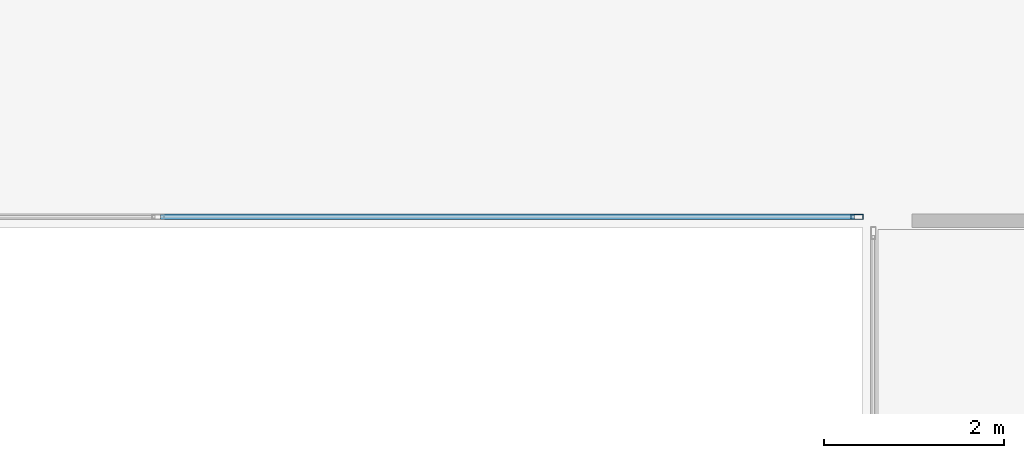
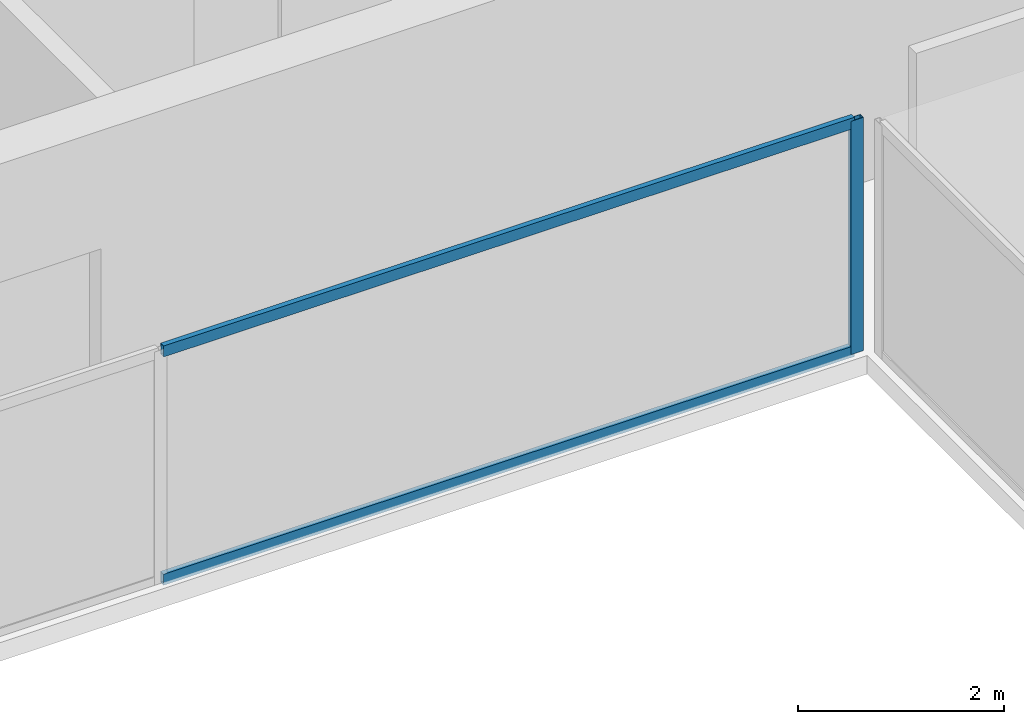
# One storey, part 11 of 29: 3 members, 1 element without a shape of its own.
"""IFC4 building model written with IfcOpenShell, lengths in metres."""

import ifcopenshell
import ifcopenshell.guid

model = None  # the IFC model being written
_history = None  # IfcOwnerHistory: only IFC2X3 demands one
_inside = {}  # id of a spatial element -> (the spatial element, [elements in it])
_under = {}  # id of a project, library or spatial element -> (it, [spatial elements below it])
_declared = {}  # id of a project -> (the project, [libraries it declares])
_typed = {}  # id of a type object -> (the type object, [elements of that type])
_made_of = {}  # id of a material, layer set ... -> (it, [elements and type objects made of it])


def new_model(schema):
    """Start an empty IFC model of exactly this schema.

    Asked for "IFC4X3", IfcOpenShell would pick the latest addendum, in which some entities
    have other attributes; the version numbers below select the first issue.
    IFC2X3 requires an IfcOwnerHistory on every rooted entity: one is made here for all.
    """
    global model, _history
    if schema == "IFC4X3":
        model = ifcopenshell.file(schema_version=(4, 3, 0, 0))
    else:
        model = ifcopenshell.file(schema=schema)
    _inside.clear()
    _under.clear()
    _declared.clear()
    _typed.clear()
    _made_of.clear()
    _history = None
    if model.schema == "IFC2X3":
        org = make("IfcOrganization", Name="unknown")
        user = make(
            "IfcPersonAndOrganization",
            ThePerson=make("IfcPerson", FamilyName="unknown"),
            TheOrganization=org,
        )
        app = make(
            "IfcApplication",
            ApplicationDeveloper=org,
            Version="unknown",
            ApplicationFullName="unknown",
            ApplicationIdentifier="unknown",
        )
        _history = make(
            "IfcOwnerHistory",
            OwningUser=user,
            OwningApplication=app,
            ChangeAction="ADDED",
            CreationDate=0,
        )
    return model


def make(cls, **values):
    """One entity of the class cls with the attributes given. An attribute that is None is left unset."""
    return model.create_entity(
        cls, **{name: value for name, value in values.items() if value is not None}
    )


def rooted(cls, **values):
    """An entity with a GlobalId (a new one), such as an element, a storey or a relation."""
    return make(cls, GlobalId=ifcopenshell.guid.new(), OwnerHistory=_history, **values)


def si_unit(unit_type, name, prefix=None):
    """IfcSIUnit, for example si_unit("LENGTHUNIT", "METRE", prefix="MILLI")."""
    return make("IfcSIUnit", UnitType=unit_type, Prefix=prefix, Name=name)


def assignment(units):
    """IfcUnitAssignment: the units of a project."""
    return None if units is None else make("IfcUnitAssignment", Units=units)


def point(xyz):
    """IfcCartesianPoint."""
    return None if xyz is None else make("IfcCartesianPoint", Coordinates=xyz)


def direction(xyz):
    """IfcDirection."""
    return None if xyz is None else make("IfcDirection", DirectionRatios=xyz)


def frame(location, z_axis=None, x_axis=None):
    """IfcAxis2Placement3D, a coordinate frame: its origin and axes. An axis left out is left unset."""
    return make(
        "IfcAxis2Placement3D",
        Location=point(location),
        Axis=direction(z_axis),
        RefDirection=direction(x_axis),
    )


def frame_2d(location, x_axis=None):
    """IfcAxis2Placement2D, a coordinate frame in the plane: its origin and x axis."""
    return make(
        "IfcAxis2Placement2D", Location=point(location), RefDirection=direction(x_axis)
    )


def origin():
    """The frame at (0, 0, 0) with its axes left unset."""
    return frame((0.0, 0.0, 0.0))


def origin_2d():
    """The frame at (0, 0) in the plane with its x axis left unset."""
    return frame_2d((0.0, 0.0))


def place(relative_to, where):
    """IfcLocalPlacement: puts the frame where relative to a parent placement (None: the world)."""
    return make(
        "IfcLocalPlacement", PlacementRelTo=relative_to, RelativePlacement=where
    )


def context(
    kind, dimensions, precision=None, world=None, true_north=None, identifier=None
):
    """IfcGeometricRepresentationContext, for example the 3D "Model" context."""
    return make(
        "IfcGeometricRepresentationContext",
        ContextIdentifier=identifier,
        ContextType=kind,
        CoordinateSpaceDimension=dimensions,
        Precision=precision,
        WorldCoordinateSystem=world,
        TrueNorth=true_north,
    )


def subcontext(parent, identifier, kind, view, scale=None):
    """IfcGeometricRepresentationSubContext, for example "Body" below "Model"."""
    return make(
        "IfcGeometricRepresentationSubContext",
        ContextIdentifier=identifier,
        ContextType=kind,
        ParentContext=parent,
        TargetScale=scale,
        TargetView=view,
    )


def project(units=None, contexts=None):
    """IfcProject with its units and contexts."""
    return rooted(
        "IfcProject",
        Name="project",
        RepresentationContexts=contexts,
        UnitsInContext=assignment(units),
    )


def spatial(cls, under=None, at=None, **own):
    """A site, building, storey or space (cls), placed at a placement, below another one or the project."""
    s = rooted(cls, ObjectPlacement=at, **own)
    if under is not None:
        _under.setdefault(under.id(), (under, []))[1].append(s)
    return s


def profile(cls, at=None, kind="AREA", **sizes):
    """A parametric profile (cls). Its sizes go by their IFC names, for example OverallWidth=200.0."""
    return make(cls, ProfileType=kind, Position=at, **sizes)


def hollow_rectangle(**sizes):
    """IfcRectangleHollowProfileDef."""
    return profile("IfcRectangleHollowProfileDef", **sizes)


def extrude(swept, where, along, depth):
    """IfcExtrudedAreaSolid: the profile swept, set in the frame where, extruded along a direction by depth."""
    return make(
        "IfcExtrudedAreaSolid",
        SweptArea=swept,
        Position=where,
        ExtrudedDirection=direction(along),
        Depth=depth,
    )


def shape(context_of_items, identifier, shape_type, items):
    """IfcShapeRepresentation: the items that make up one representation, for example the "Body"."""
    return make(
        "IfcShapeRepresentation",
        ContextOfItems=context_of_items,
        RepresentationIdentifier=identifier,
        RepresentationType=shape_type,
        Items=items,
    )


def source(mapping_origin, context_of_items, identifier, shape_type, items):
    """IfcRepresentationMap: a shape defined once, which mapped items show again and again."""
    return make(
        "IfcRepresentationMap",
        MappingOrigin=mapping_origin,
        MappedRepresentation=shape(context_of_items, identifier, shape_type, items),
    )


def transform(
    local_origin,
    x_axis=None,
    y_axis=None,
    z_axis=None,
    scale=None,
    scale2=None,
    scale3=None,
    uniform=True,
):
    """IfcCartesianTransformationOperator3D, or its non-uniform kind. x_axis, y_axis, z_axis: its Axis1, 2, 3."""
    if uniform:
        return make(
            "IfcCartesianTransformationOperator3D",
            Axis1=direction(x_axis),
            Axis2=direction(y_axis),
            LocalOrigin=point(local_origin),
            Scale=scale,
            Axis3=direction(z_axis),
        )
    return make(
        "IfcCartesianTransformationOperator3DnonUniform",
        Axis1=direction(x_axis),
        Axis2=direction(y_axis),
        LocalOrigin=point(local_origin),
        Scale=scale,
        Axis3=direction(z_axis),
        Scale2=scale2,
        Scale3=scale3,
    )


def mapped(mapping_source, mapping_target):
    """IfcMappedItem: shows the shape of a source again, moved by a transform."""
    return make(
        "IfcMappedItem", MappingSource=mapping_source, MappingTarget=mapping_target
    )


def material(Name=None, Category=None):
    """IfcMaterial."""
    return make("IfcMaterial", Name=Name, Category=Category)


def layer(
    of_material, thickness, ventilated=None, Name=None, Category=None, Priority=None
):
    """IfcMaterialLayer: one layer of a wall or slab, of a material (None: an air gap)."""
    return make(
        "IfcMaterialLayer",
        Material=of_material,
        LayerThickness=thickness,
        IsVentilated=ventilated,
        Name=Name,
        Category=Category,
        Priority=Priority,
    )


def layer_set(layers, Name=None):
    """IfcMaterialLayerSet."""
    return make("IfcMaterialLayerSet", MaterialLayers=layers, LayerSetName=Name)


def material_profile(
    of_material, cross_section, Name=None, Category=None, Priority=None
):
    """IfcMaterialProfile: a cross section and its material."""
    return make(
        "IfcMaterialProfile",
        Name=Name,
        Material=of_material,
        Profile=cross_section,
        Priority=Priority,
        Category=Category,
    )


def profile_set(profiles, Name=None, composite=None):
    """IfcMaterialProfileSet."""
    return make(
        "IfcMaterialProfileSet",
        Name=Name,
        MaterialProfiles=profiles,
        CompositeProfile=composite,
    )


def made_of(thing, what):
    """Note that an element or type object is made of a material, layer set ...; save() writes the relation."""
    if what is not None:
        _made_of.setdefault(what.id(), (what, []))[1].append(thing)
    return thing


def type_object(cls, material=None, **own):
    """A type object (cls), such as IfcWallType, which elements share."""
    return made_of(rooted(cls, **own), material)


def element(
    cls,
    number,
    at=None,
    inside=None,
    cuts=None,
    type_object=None,
    material=None,
    context=None,
    identifier="Body",
    shape_type=None,
    held_by="IfcProductDefinitionShape",
    body=None,
    shapes=None,
    **own,
):
    """One element of the class cls, such as IfcWall. Its Tag is "e" and its number.

    at: its placement. inside: the storey or other place that contains it. cuts: it is an
    opening in that element (IfcRelVoidsElement). A single representation is given by context,
    identifier, shape_type and body (its items); several are given by shapes. held_by: the class
    of the entity that holds the representations. save() writes the other relations.
    """
    e = rooted(cls, Tag="e%d" % number, ObjectPlacement=at, **own)
    if body is not None:
        shapes = [shape(context, identifier, shape_type, body)]
    if shapes is not None:
        e.Representation = make(held_by, Representations=shapes)
    if inside is not None:
        _inside.setdefault(inside.id(), (inside, []))[1].append(e)
    if cuts is not None:
        rooted(
            "IfcRelVoidsElement", RelatingBuildingElement=cuts, RelatedOpeningElement=e
        )
    if type_object is not None:
        _typed.setdefault(type_object.id(), (type_object, []))[1].append(e)
    return made_of(e, material)


def aggregate(whole, parts):
    """IfcRelAggregates: a whole, such as a stair, and the parts it consists of."""
    return rooted("IfcRelAggregates", RelatingObject=whole, RelatedObjects=parts)


def save(model, path):
    """Write the relations noted so far, then the file.

    IfcRelAggregates (storeys below a building ...), IfcRelContainedInSpatialStructure (elements
    in a storey), IfcRelDefinesByType, IfcRelAssociatesMaterial and IfcRelDeclares: one each for
    every whole, place, type object, material and project.
    """
    for whole, parts in _under.values():
        aggregate(whole, parts)
    for where, things in _inside.values():
        rooted(
            "IfcRelContainedInSpatialStructure",
            RelatedElements=things,
            RelatingStructure=where,
        )
    for kind, things in _typed.values():
        rooted("IfcRelDefinesByType", RelatedObjects=things, RelatingType=kind)
    for what, things in _made_of.values():
        rooted("IfcRelAssociatesMaterial", RelatedObjects=things, RelatingMaterial=what)
    for by, libraries in _declared.values():
        rooted("IfcRelDeclares", RelatingContext=by, RelatedDefinitions=libraries)
    model.write(path)


model = new_model("IFC4")

# Units and contexts
model_context = context("Model", 3, precision=1e-05, world=origin(), true_north=direction((0.0, 1.0)))
body_context = subcontext(model_context, "Body", "Model", "MODEL_VIEW")
ifc_project = project(units=[si_unit("LENGTHUNIT", "METRE"), si_unit("AREAUNIT", "SQUARE_METRE"), si_unit("VOLUMEUNIT", "CUBIC_METRE"), si_unit("PLANEANGLEUNIT", "RADIAN"), si_unit("MASSUNIT", "GRAM", prefix="KILO")], contexts=[model_context])

# Site, building, storey
site_placement = place(None, origin())
site = spatial("IfcSite", under=ifc_project, at=site_placement, CompositionType="ELEMENT")
building_placement = place(site_placement, origin())
building = spatial("IfcBuilding", under=site, at=building_placement, Name="Sumidabori Civic Tower", CompositionType="ELEMENT")
storey_placement = place(building_placement, frame((0.0, 0.0, 214.39990234375)))
storey = spatial("IfcBuildingStorey", under=building, at=storey_placement, Name="L55", CompositionType="ELEMENT", Elevation=214.39990234375)

# Curtain wall, members
ifc_material = material(Name="Anodised Bronze Aluminium AW-6063-T6", Category="aluminium")
ifc_layer = layer(ifc_material, 0.179931640625, Name="Anodised Bronze Aluminium AW-6063-T6")
ifc_layer_set = layer_set([ifc_layer], Name="Anodised Bronze Aluminium AW-6063-T6")
curtain_wall_type = type_object("IfcCurtainWallType", Name="CW-SYS-4", PredefinedType="NOTDEFINED", material=ifc_layer_set)
curtain_wall_placement = place(storey_placement, origin())
curtain_wall = element("IfcCurtainWall", 1, at=curtain_wall_placement, inside=storey, type_object=curtain_wall_type, Name="Curtain Wall CW:L55:R05", PredefinedType="NOTDEFINED")
ifc_material_profile_1 = material_profile(ifc_material, hollow_rectangle(XDim=0.06005859375, YDim=0.139892578125, WallThickness=0.0048828125, at=origin_2d()), Name="ALU MULLION 140x60")
ifc_profile_set_1 = profile_set([ifc_material_profile_1], Name="Anodised Bronze Aluminium AW-6063-T6")
member_type_1 = type_object("IfcMemberType", Name="CW-MUL-140", PredefinedType="MULLION", material=ifc_profile_set_1)
shared_shape_1 = source(origin(), body_context, "Body", "SweptSolid", [
    extrude(hollow_rectangle(XDim=0.06005859375, YDim=0.139892578125, WallThickness=0.0048828125, at=origin_2d()), origin(), (0.0, 0.0, 1.0), 2.760009765625),
])
member_1_placement = place(storey_placement, frame((7.7900390625, 7.52001953125, 0.0), z_axis=(0.0, 0.0, 1.0), x_axis=(0.0, 1.0, 0.0)))
member_1 = element("IfcMember", 2, at=member_1_placement, type_object=member_type_1, Name="CW-4 mullion 3", PredefinedType="MULLION", context=body_context, shape_type="MappedRepresentation", body=[
    mapped(shared_shape_1, transform((0.0, 0.0, 0.0), x_axis=(1.0, 0.0, 0.0), y_axis=(0.0, 1.0, 0.0), z_axis=(0.0, 0.0, 1.0), scale=1.0)),
])
ifc_material_profile_2 = material_profile(ifc_material, hollow_rectangle(XDim=0.06005859375, YDim=0.1298828125, WallThickness=0.0048828125, at=origin_2d()), Name="ALU TRANSOM 130x60")
ifc_profile_set_2 = profile_set([ifc_material_profile_2], Name="Anodised Bronze Aluminium AW-6063-T6")
member_type_2 = type_object("IfcMemberType", Name="CW-TRN-130", PredefinedType="USERDEFINED", material=ifc_profile_set_2)
shared_shape_2 = source(origin(), body_context, "Body", "SweptSolid", [
    extrude(hollow_rectangle(XDim=0.06005859375, YDim=0.1298828125, WallThickness=0.0048828125, at=origin_2d()), origin(), (0.0, 0.0, 1.0), 7.72998046875),
])
member_2_placement = place(storey_placement, frame((0.030029296875, 7.52001953125, 0.030029296875), z_axis=(1.0, 0.0, 0.0), x_axis=(0.0, 1.0, 0.0)))
member_2 = element("IfcMember", 3, at=member_2_placement, type_object=member_type_2, Name="CW-4 transom 2.1", ObjectType="TRANSOM", PredefinedType="USERDEFINED", context=body_context, shape_type="MappedRepresentation", body=[
    mapped(shared_shape_2, transform((0.0, 0.0, 0.0), x_axis=(1.0, 0.0, 0.0), y_axis=(0.0, 1.0, 0.0), z_axis=(0.0, 0.0, 1.0), scale=1.0)),
])
member_3_placement = place(storey_placement, frame((0.030029296875, 7.52001953125, 2.72998046875), z_axis=(1.0, 0.0, 0.0), x_axis=(0.0, 1.0, 0.0)))
member_3 = element("IfcMember", 4, at=member_3_placement, type_object=member_type_2, Name="CW-4 transom 2.2", ObjectType="TRANSOM", PredefinedType="USERDEFINED", context=body_context, shape_type="MappedRepresentation", body=[
    mapped(shared_shape_2, transform((0.0, 0.0, 0.0), x_axis=(1.0, 0.0, 0.0), y_axis=(0.0, 1.0, 0.0), z_axis=(0.0, 0.0, 1.0), scale=1.0)),
])
aggregate(curtain_wall, [member_1, member_2, member_3])

save(model, "model.ifc")
